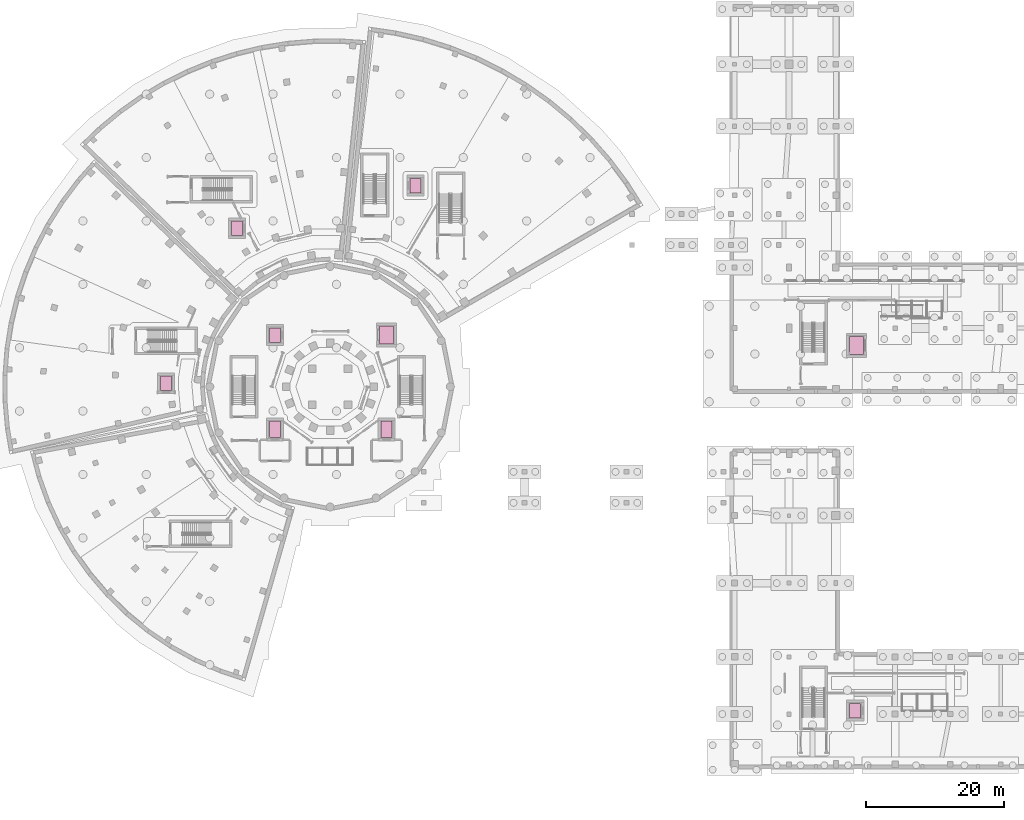
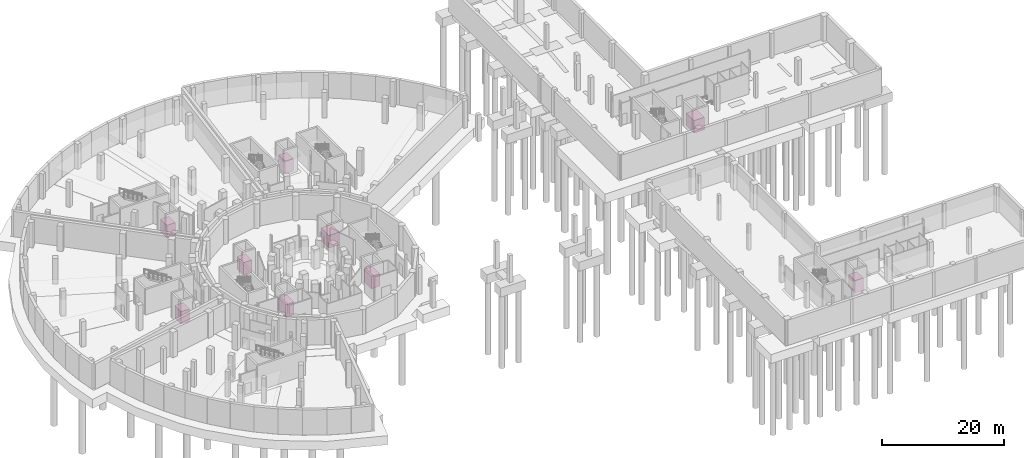
# One storey, part 33 of 33: 9 transport elements.
"""IFC4 building model written with IfcOpenShell, lengths in metres."""

from ifc_helpers import new_model, si_unit, direction, frame, origin, origin_2d, place, context, subcontext, project, spatial, rectangle, extrude, material, type_object, element, save


model = new_model("IFC4")

# Units and contexts
model_context = context("Model", 3, precision=1e-05, world=origin(), true_north=direction((0.0, 1.0)))
body_context = subcontext(model_context, "Body", "Model", "MODEL_VIEW")
ifc_project = project(units=[si_unit("LENGTHUNIT", "METRE"), si_unit("AREAUNIT", "SQUARE_METRE"), si_unit("VOLUMEUNIT", "CUBIC_METRE"), si_unit("PLANEANGLEUNIT", "RADIAN"), si_unit("MASSUNIT", "GRAM", prefix="KILO")], contexts=[model_context])

# Site, building, storey
site_placement = place(None, origin())
site = spatial("IfcSite", under=ifc_project, at=site_placement, CompositionType="ELEMENT")
building_placement = place(site_placement, origin())
building = spatial("IfcBuilding", under=site, at=building_placement, Name="Soyqirgoq Riverine Aquarium", CompositionType="ELEMENT")
storey_placement = place(building_placement, frame((0.0, 0.0, -5.39990234375)))
storey = spatial("IfcBuildingStorey", under=building, at=storey_placement, Name="B01", CompositionType="ELEMENT", Elevation=-5.39990234375)

# Transport elements
ifc_material_1 = material(Name="Fire-protected stainless steel firefighting elevator cab", Category="steel")
transport_element_type_1 = type_object("IfcTransportElementType", Name="FirefightingLift_1800kg", PredefinedType="ELEVATOR", material=ifc_material_1)
for number, where, z_axis, x_axis, name in (
    (1, (64.199951171875, 50.800048828125, 0.0), (0.0, 0.0, 1.0), (1.0, 0.0, 0.0), "Firefighting Elevator FFL-1"),
    (2, (48.0, 50.800048828125, 0.0), (0.0, 0.0, 1.0), (1.0, 0.0, 0.0), "Firefighting Elevator FFL-2"),
):
    element("IfcTransportElement", number, at=place(storey_placement, frame(where, z_axis=z_axis, x_axis=x_axis)), inside=storey, type_object=transport_element_type_1, Name=name, PredefinedType="ELEVATOR", context=body_context, shape_type="SweptSolid", body=[
        extrude(rectangle(XDim=1.60009765625, YDim=2.39990234375, at=origin_2d()), origin(), (0.0, 0.0, 1.0), 2.5),
    ])
ifc_material_2 = material(Name="Heavy-duty stainless steel freight elevator cab", Category="steel")
transport_element_type_2 = type_object("IfcTransportElementType", Name="GoodsLift_2500kg", PredefinedType="ELEVATOR", material=ifc_material_2)
for number, where, z_axis, x_axis, name in (
    (3, (64.199951171875, 64.5, 0.0), (0.0, 0.0, 1.0), (1.0, 0.0, 0.0), "Goods Elevator GL-1"),
    (4, (132.39990234375, 63.0, 0.0), (0.0, 0.0, 1.0), (1.0, 0.0, 0.0), "Goods Elevator GL-2"),
):
    element("IfcTransportElement", number, at=place(storey_placement, frame(where, z_axis=z_axis, x_axis=x_axis)), inside=storey, type_object=transport_element_type_2, Name=name, PredefinedType="ELEVATOR", context=body_context, shape_type="SweptSolid", body=[
        extrude(rectangle(XDim=2.0, YDim=2.60009765625, at=origin_2d()), origin(), (0.0, 0.0, 1.0), 2.5),
    ])
ifc_material_3 = material(Name="Stainless steel passenger elevator cab", Category="steel")
transport_element_type_3 = type_object("IfcTransportElementType", Name="PassengerLift_1600kg", PredefinedType="ELEVATOR", material=ifc_material_3)
for number, where, z_axis, x_axis, name in (
    (5, (48.0, 64.5, 0.0), (0.0, 0.0, 1.0), (1.0, 0.0, 0.0), "Passenger Elevator PL-1"),
    (6, (32.199951171875, 57.5, 0.0), (0.0, 0.0, 1.0), (1.0, 0.0, 0.0), "Passenger Elevator PL-2"),
    (7, (42.5, 80.0, 0.0), (0.0, 0.0, 1.0), (1.0, 0.0, 0.0), "Passenger Elevator PL-3"),
    (8, (68.39990234375, 86.199951171875, 0.0), (0.0, 0.0, 1.0), (1.0, 0.0, 0.0), "Passenger Elevator PL-5"),
    (9, (132.199951171875, 10.0, 0.0), (0.0, 0.0, 1.0), (1.0, 0.0, 0.0), "Passenger Elevator PL-4"),
):
    element("IfcTransportElement", number, at=place(storey_placement, frame(where, z_axis=z_axis, x_axis=x_axis)), inside=storey, type_object=transport_element_type_3, Name=name, PredefinedType="ELEVATOR", context=body_context, shape_type="SweptSolid", body=[
        extrude(rectangle(XDim=1.60009765625, YDim=2.10009765625, at=origin_2d()), origin(), (0.0, 0.0, 1.0), 2.5),
    ])

save(model, "model.ifc")
